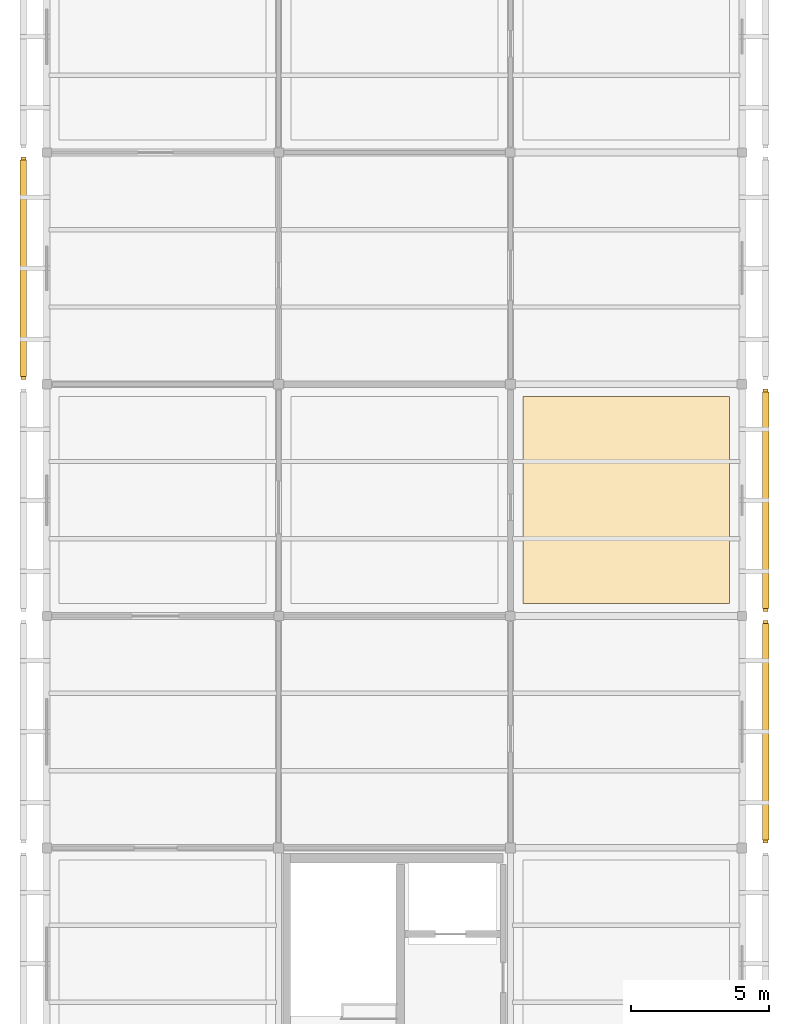
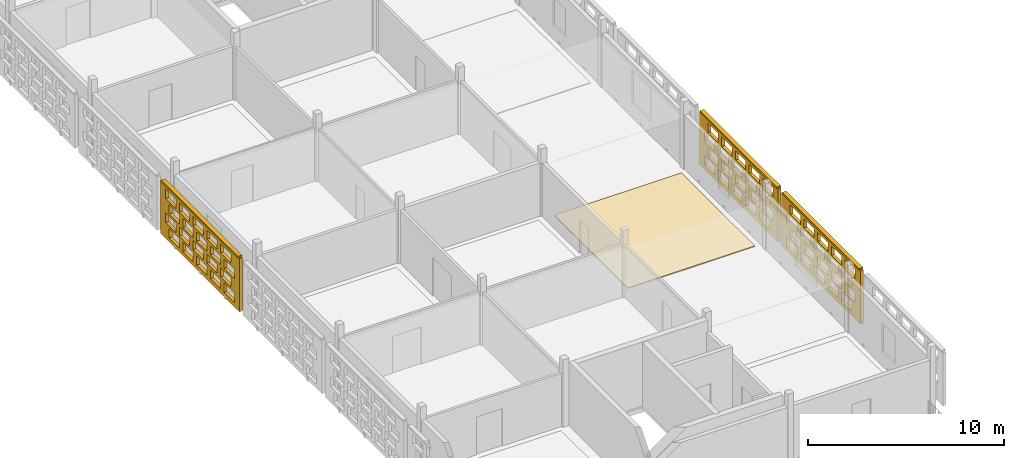
# One storey, part 8 of 13: 4 coverings, 3 shading devices, 60 openings.
"""IFC4 building model written with IfcOpenShell, lengths in metres."""

from ifc_helpers import new_model, si_unit, direction, frame, frame_2d, origin, origin_2d, place, context, subcontext, project, spatial, rectangle, extrude, material, layer, layer_set, type_object, element, save


model = new_model("IFC4")

# Units and contexts
model_context = context("Model", 3, precision=1e-05, world=origin(), true_north=direction((0.0, 1.0)))
body_context = subcontext(model_context, "Body", "Model", "MODEL_VIEW")
ifc_project = project(units=[si_unit("LENGTHUNIT", "METRE"), si_unit("AREAUNIT", "SQUARE_METRE"), si_unit("VOLUMEUNIT", "CUBIC_METRE"), si_unit("PLANEANGLEUNIT", "RADIAN"), si_unit("MASSUNIT", "GRAM", prefix="KILO")], contexts=[model_context])

# Site, building, storey
site_placement = place(None, origin())
site = spatial("IfcSite", under=ifc_project, at=site_placement, CompositionType="ELEMENT")
building_placement = place(site_placement, origin())
building = spatial("IfcBuilding", under=site, at=building_placement, Name="Varnapada Polytechnic", CompositionType="ELEMENT")
storey_placement = place(building_placement, frame((0.0, 0.0, 26.39990234375)))
storey = spatial("IfcBuildingStorey", under=building, at=storey_placement, Name="L06", CompositionType="ELEMENT", Elevation=26.39990234375)

# Covering
ifc_material_1 = material(Name="End-Grain Timber Studio Block Flooring", Category="wood")
ifc_layer_1 = layer(ifc_material_1, 0.054931640625)
ifc_layer_set_1 = layer_set([ifc_layer_1], Name="End-Grain Timber Studio Block Flooring")
covering_type_1 = type_object("IfcCoveringType", Name="Floor Finish FLR-04", PredefinedType="FLOORING", material=ifc_layer_set_1)
covering_1_placement = place(storey_placement, frame((21.0, 79.800048828125, 0.0), z_axis=(0.0, 0.0, 1.0), x_axis=(1.0, 0.0, 0.0)))
element("IfcCovering", 1, at=covering_1_placement, inside=storey, type_object=covering_type_1, Name="L06 floor finish panel (3,10)", PredefinedType="FLOORING", context=body_context, shape_type="SweptSolid", body=[
    extrude(rectangle(XDim=7.5, YDim=7.5, at=origin_2d()), origin(), (0.0, 0.0, 1.0), 0.054931640625),
])

# Covering, openings
ifc_material_2 = material(Name="Earth-toned architectural terracotta screen block", Category="masonry")
ifc_layer_2 = layer(ifc_material_2, 0.1201171875)
ifc_layer_set_2 = layer_set([ifc_layer_2], Name="Earth-toned architectural terracotta screen block")
covering_type_2 = type_object("IfcCoveringType", Name="Terracotta Screen Cladding CLD-01", PredefinedType="CLADDING", material=ifc_layer_set_2)
covering_2_placement = place(storey_placement, frame((-0.85009765625, 84.179931640625, 0.0), z_axis=(0.0, 0.0, 1.0), x_axis=(0.0, 1.0, 0.0)))
covering_2 = element("IfcCovering", 2, at=covering_2_placement, inside=storey, type_object=covering_type_2, Name="L06 perforated terracotta block screen (5)", PredefinedType="CLADDING", context=body_context, shape_type="SweptSolid", body=[
    extrude(rectangle(XDim=8.050048828125, YDim=0.179931640625, at=frame_2d((4.02490234375, 0.0))), origin(), (0.0, 0.0, 1.0), 3.320068359375),
])
opening_1_placement = place(covering_2_placement, frame((0.52490234375, 0.0, 0.265625)))
element("IfcOpeningElement", 3, at=opening_1_placement, cuts=covering_2, Name="Screen perforation TBS-L06-004.1", PredefinedType="OPENING", context=body_context, shape_type="SweptSolid", body=[
    extrude(rectangle(XDim=1.0400390625, YDim=0.5810546875, at=frame_2d((0.52001953125, 0.29052734375))), frame((0.0, 0.099853515625, 0.0), z_axis=(0.0, -1.0, 0.0), x_axis=(1.0, 0.0, 0.0)), (0.0, 0.0, 1.0), 0.199951171875),
])
opening_2_placement = place(covering_2_placement, frame((1.925048828125, 0.0, 0.265625)))
element("IfcOpeningElement", 4, at=opening_2_placement, cuts=covering_2, Name="Screen perforation TBS-L06-004.2", PredefinedType="OPENING", context=body_context, shape_type="SweptSolid", body=[
    extrude(rectangle(XDim=1.0400390625, YDim=0.5810546875, at=frame_2d((0.52001953125, 0.29052734375))), frame((0.0, 0.099853515625, 0.0), z_axis=(0.0, -1.0, 0.0), x_axis=(1.0, 0.0, 0.0)), (0.0, 0.0, 1.0), 0.199951171875),
])
opening_3_placement = place(covering_2_placement, frame((3.324951171875, 0.0, 0.265625)))
element("IfcOpeningElement", 5, at=opening_3_placement, cuts=covering_2, Name="Screen perforation TBS-L06-004.3", PredefinedType="OPENING", context=body_context, shape_type="SweptSolid", body=[
    extrude(rectangle(XDim=1.0400390625, YDim=0.5810546875, at=frame_2d((0.52001953125, 0.29052734375))), frame((0.0, 0.099853515625, 0.0), z_axis=(0.0, -1.0, 0.0), x_axis=(1.0, 0.0, 0.0)), (0.0, 0.0, 1.0), 0.199951171875),
])
opening_4_placement = place(covering_2_placement, frame((4.72509765625, 0.0, 0.265625)))
element("IfcOpeningElement", 6, at=opening_4_placement, cuts=covering_2, Name="Screen perforation TBS-L06-004.4", PredefinedType="OPENING", context=body_context, shape_type="SweptSolid", body=[
    extrude(rectangle(XDim=1.0400390625, YDim=0.5810546875, at=frame_2d((0.52001953125, 0.29052734375))), frame((0.0, 0.099853515625, 0.0), z_axis=(0.0, -1.0, 0.0), x_axis=(1.0, 0.0, 0.0)), (0.0, 0.0, 1.0), 0.199951171875),
])
opening_5_placement = place(covering_2_placement, frame((6.125, 0.0, 0.265625)))
element("IfcOpeningElement", 7, at=opening_5_placement, cuts=covering_2, Name="Screen perforation TBS-L06-004.5", PredefinedType="OPENING", context=body_context, shape_type="SweptSolid", body=[
    extrude(rectangle(XDim=1.0400390625, YDim=0.5810546875, at=frame_2d((0.52001953125, 0.29052734375))), frame((0.0, 0.099853515625, 0.0), z_axis=(0.0, -1.0, 0.0), x_axis=(1.0, 0.0, 0.0)), (0.0, 0.0, 1.0), 0.199951171875),
])
opening_6_placement = place(covering_2_placement, frame((0.885009765625, 0.0, 1.0126953125)))
element("IfcOpeningElement", 8, at=opening_6_placement, cuts=covering_2, Name="Screen perforation TBS-L06-004.6", PredefinedType="OPENING", context=body_context, shape_type="SweptSolid", body=[
    extrude(rectangle(XDim=1.0400390625, YDim=0.5810546875, at=frame_2d((0.52001953125, 0.29052734375))), frame((0.0, 0.099853515625, 0.0), z_axis=(0.0, -1.0, 0.0), x_axis=(1.0, 0.0, 0.0)), (0.0, 0.0, 1.0), 0.199951171875),
])
opening_7_placement = place(covering_2_placement, frame((2.284912109375, 0.0, 1.0126953125)))
element("IfcOpeningElement", 9, at=opening_7_placement, cuts=covering_2, Name="Screen perforation TBS-L06-004.7", PredefinedType="OPENING", context=body_context, shape_type="SweptSolid", body=[
    extrude(rectangle(XDim=1.0400390625, YDim=0.5810546875, at=frame_2d((0.52001953125, 0.29052734375))), frame((0.0, 0.099853515625, 0.0), z_axis=(0.0, -1.0, 0.0), x_axis=(1.0, 0.0, 0.0)), (0.0, 0.0, 1.0), 0.199951171875),
])
opening_8_placement = place(covering_2_placement, frame((3.68505859375, 0.0, 1.0126953125)))
element("IfcOpeningElement", 10, at=opening_8_placement, cuts=covering_2, Name="Screen perforation TBS-L06-004.8", PredefinedType="OPENING", context=body_context, shape_type="SweptSolid", body=[
    extrude(rectangle(XDim=1.0400390625, YDim=0.5810546875, at=frame_2d((0.52001953125, 0.29052734375))), frame((0.0, 0.099853515625, 0.0), z_axis=(0.0, -1.0, 0.0), x_axis=(1.0, 0.0, 0.0)), (0.0, 0.0, 1.0), 0.199951171875),
])
opening_9_placement = place(covering_2_placement, frame((5.0849609375, 0.0, 1.0126953125)))
element("IfcOpeningElement", 11, at=opening_9_placement, cuts=covering_2, Name="Screen perforation TBS-L06-004.9", PredefinedType="OPENING", context=body_context, shape_type="SweptSolid", body=[
    extrude(rectangle(XDim=1.0400390625, YDim=0.5810546875, at=frame_2d((0.52001953125, 0.29052734375))), frame((0.0, 0.099853515625, 0.0), z_axis=(0.0, -1.0, 0.0), x_axis=(1.0, 0.0, 0.0)), (0.0, 0.0, 1.0), 0.199951171875),
])
opening_10_placement = place(covering_2_placement, frame((6.485107421875, 0.0, 1.0126953125)))
element("IfcOpeningElement", 12, at=opening_10_placement, cuts=covering_2, Name="Screen perforation TBS-L06-004.10", PredefinedType="OPENING", context=body_context, shape_type="SweptSolid", body=[
    extrude(rectangle(XDim=1.0400390625, YDim=0.5810546875, at=frame_2d((0.52001953125, 0.29052734375))), frame((0.0, 0.099853515625, 0.0), z_axis=(0.0, -1.0, 0.0), x_axis=(1.0, 0.0, 0.0)), (0.0, 0.0, 1.0), 0.199951171875),
])
opening_11_placement = place(covering_2_placement, frame((0.52490234375, 0.0, 1.759521484375)))
element("IfcOpeningElement", 13, at=opening_11_placement, cuts=covering_2, Name="Screen perforation TBS-L06-004.11", PredefinedType="OPENING", context=body_context, shape_type="SweptSolid", body=[
    extrude(rectangle(XDim=1.0400390625, YDim=0.5810546875, at=frame_2d((0.52001953125, 0.29052734375))), frame((0.0, 0.099853515625, 0.0), z_axis=(0.0, -1.0, 0.0), x_axis=(1.0, 0.0, 0.0)), (0.0, 0.0, 1.0), 0.199951171875),
])
opening_12_placement = place(covering_2_placement, frame((1.925048828125, 0.0, 1.759521484375)))
element("IfcOpeningElement", 14, at=opening_12_placement, cuts=covering_2, Name="Screen perforation TBS-L06-004.12", PredefinedType="OPENING", context=body_context, shape_type="SweptSolid", body=[
    extrude(rectangle(XDim=1.0400390625, YDim=0.5810546875, at=frame_2d((0.52001953125, 0.29052734375))), frame((0.0, 0.099853515625, 0.0), z_axis=(0.0, -1.0, 0.0), x_axis=(1.0, 0.0, 0.0)), (0.0, 0.0, 1.0), 0.199951171875),
])
opening_13_placement = place(covering_2_placement, frame((3.324951171875, 0.0, 1.759521484375)))
element("IfcOpeningElement", 15, at=opening_13_placement, cuts=covering_2, Name="Screen perforation TBS-L06-004.13", PredefinedType="OPENING", context=body_context, shape_type="SweptSolid", body=[
    extrude(rectangle(XDim=1.0400390625, YDim=0.5810546875, at=frame_2d((0.52001953125, 0.29052734375))), frame((0.0, 0.099853515625, 0.0), z_axis=(0.0, -1.0, 0.0), x_axis=(1.0, 0.0, 0.0)), (0.0, 0.0, 1.0), 0.199951171875),
])
opening_14_placement = place(covering_2_placement, frame((4.72509765625, 0.0, 1.759521484375)))
element("IfcOpeningElement", 16, at=opening_14_placement, cuts=covering_2, Name="Screen perforation TBS-L06-004.14", PredefinedType="OPENING", context=body_context, shape_type="SweptSolid", body=[
    extrude(rectangle(XDim=1.0400390625, YDim=0.5810546875, at=frame_2d((0.52001953125, 0.29052734375))), frame((0.0, 0.099853515625, 0.0), z_axis=(0.0, -1.0, 0.0), x_axis=(1.0, 0.0, 0.0)), (0.0, 0.0, 1.0), 0.199951171875),
])
opening_15_placement = place(covering_2_placement, frame((6.125, 0.0, 1.759521484375)))
element("IfcOpeningElement", 17, at=opening_15_placement, cuts=covering_2, Name="Screen perforation TBS-L06-004.15", PredefinedType="OPENING", context=body_context, shape_type="SweptSolid", body=[
    extrude(rectangle(XDim=1.0400390625, YDim=0.5810546875, at=frame_2d((0.52001953125, 0.29052734375))), frame((0.0, 0.099853515625, 0.0), z_axis=(0.0, -1.0, 0.0), x_axis=(1.0, 0.0, 0.0)), (0.0, 0.0, 1.0), 0.199951171875),
])
opening_16_placement = place(covering_2_placement, frame((0.885009765625, 0.0, 2.506591796875)))
element("IfcOpeningElement", 18, at=opening_16_placement, cuts=covering_2, Name="Screen perforation TBS-L06-004.16", PredefinedType="OPENING", context=body_context, shape_type="SweptSolid", body=[
    extrude(rectangle(XDim=1.0400390625, YDim=0.5810546875, at=frame_2d((0.52001953125, 0.29052734375))), frame((0.0, 0.099853515625, 0.0), z_axis=(0.0, -1.0, 0.0), x_axis=(1.0, 0.0, 0.0)), (0.0, 0.0, 1.0), 0.199951171875),
])
opening_17_placement = place(covering_2_placement, frame((2.284912109375, 0.0, 2.506591796875)))
element("IfcOpeningElement", 19, at=opening_17_placement, cuts=covering_2, Name="Screen perforation TBS-L06-004.17", PredefinedType="OPENING", context=body_context, shape_type="SweptSolid", body=[
    extrude(rectangle(XDim=1.0400390625, YDim=0.5810546875, at=frame_2d((0.52001953125, 0.29052734375))), frame((0.0, 0.099853515625, 0.0), z_axis=(0.0, -1.0, 0.0), x_axis=(1.0, 0.0, 0.0)), (0.0, 0.0, 1.0), 0.199951171875),
])
opening_18_placement = place(covering_2_placement, frame((3.68505859375, 0.0, 2.506591796875)))
element("IfcOpeningElement", 20, at=opening_18_placement, cuts=covering_2, Name="Screen perforation TBS-L06-004.18", PredefinedType="OPENING", context=body_context, shape_type="SweptSolid", body=[
    extrude(rectangle(XDim=1.0400390625, YDim=0.5810546875, at=frame_2d((0.52001953125, 0.29052734375))), frame((0.0, 0.099853515625, 0.0), z_axis=(0.0, -1.0, 0.0), x_axis=(1.0, 0.0, 0.0)), (0.0, 0.0, 1.0), 0.199951171875),
])
opening_19_placement = place(covering_2_placement, frame((5.0849609375, 0.0, 2.506591796875)))
element("IfcOpeningElement", 21, at=opening_19_placement, cuts=covering_2, Name="Screen perforation TBS-L06-004.19", PredefinedType="OPENING", context=body_context, shape_type="SweptSolid", body=[
    extrude(rectangle(XDim=1.0400390625, YDim=0.5810546875, at=frame_2d((0.52001953125, 0.29052734375))), frame((0.0, 0.099853515625, 0.0), z_axis=(0.0, -1.0, 0.0), x_axis=(1.0, 0.0, 0.0)), (0.0, 0.0, 1.0), 0.199951171875),
])
opening_20_placement = place(covering_2_placement, frame((6.485107421875, 0.0, 2.506591796875)))
element("IfcOpeningElement", 22, at=opening_20_placement, cuts=covering_2, Name="Screen perforation TBS-L06-004.20", PredefinedType="OPENING", context=body_context, shape_type="SweptSolid", body=[
    extrude(rectangle(XDim=1.0400390625, YDim=0.5810546875, at=frame_2d((0.52001953125, 0.29052734375))), frame((0.0, 0.099853515625, 0.0), z_axis=(0.0, -1.0, 0.0), x_axis=(1.0, 0.0, 0.0)), (0.0, 0.0, 1.0), 0.199951171875),
])

covering_3_placement = place(storey_placement, frame((26.050048828125, 75.429931640625, 0.0), z_axis=(0.0, 0.0, 1.0), x_axis=(0.0, -1.0, 0.0)))
covering_3 = element("IfcCovering", 23, at=covering_3_placement, inside=storey, type_object=covering_type_2, Name="L06 perforated terracotta block screen (14)", PredefinedType="CLADDING", context=body_context, shape_type="SweptSolid", body=[
    extrude(rectangle(XDim=8.050048828125, YDim=0.179931640625, at=frame_2d((4.02490234375, 0.0))), origin(), (0.0, 0.0, 1.0), 3.320068359375),
])
opening_21_placement = place(covering_3_placement, frame((0.52490234375, 0.0, 0.265625)))
element("IfcOpeningElement", 24, at=opening_21_placement, cuts=covering_3, Name="Screen perforation TBS-L06-013.1", PredefinedType="OPENING", context=body_context, shape_type="SweptSolid", body=[
    extrude(rectangle(XDim=1.0400390625, YDim=0.5810546875, at=frame_2d((0.52001953125, 0.29052734375))), frame((0.0, 0.099853515625, 0.0), z_axis=(0.0, -1.0, 0.0), x_axis=(1.0, 0.0, 0.0)), (0.0, 0.0, 1.0), 0.199951171875),
])
opening_22_placement = place(covering_3_placement, frame((1.925048828125, 0.0, 0.265625)))
element("IfcOpeningElement", 25, at=opening_22_placement, cuts=covering_3, Name="Screen perforation TBS-L06-013.2", PredefinedType="OPENING", context=body_context, shape_type="SweptSolid", body=[
    extrude(rectangle(XDim=1.0400390625, YDim=0.5810546875, at=frame_2d((0.52001953125, 0.29052734375))), frame((0.0, 0.099853515625, 0.0), z_axis=(0.0, -1.0, 0.0), x_axis=(1.0, 0.0, 0.0)), (0.0, 0.0, 1.0), 0.199951171875),
])
opening_23_placement = place(covering_3_placement, frame((3.324951171875, 0.0, 0.265625)))
element("IfcOpeningElement", 26, at=opening_23_placement, cuts=covering_3, Name="Screen perforation TBS-L06-013.3", PredefinedType="OPENING", context=body_context, shape_type="SweptSolid", body=[
    extrude(rectangle(XDim=1.0400390625, YDim=0.5810546875, at=frame_2d((0.52001953125, 0.29052734375))), frame((0.0, 0.099853515625, 0.0), z_axis=(0.0, -1.0, 0.0), x_axis=(1.0, 0.0, 0.0)), (0.0, 0.0, 1.0), 0.199951171875),
])
opening_24_placement = place(covering_3_placement, frame((4.72509765625, 0.0, 0.265625)))
element("IfcOpeningElement", 27, at=opening_24_placement, cuts=covering_3, Name="Screen perforation TBS-L06-013.4", PredefinedType="OPENING", context=body_context, shape_type="SweptSolid", body=[
    extrude(rectangle(XDim=1.0400390625, YDim=0.5810546875, at=frame_2d((0.52001953125, 0.29052734375))), frame((0.0, 0.099853515625, 0.0), z_axis=(0.0, -1.0, 0.0), x_axis=(1.0, 0.0, 0.0)), (0.0, 0.0, 1.0), 0.199951171875),
])
opening_25_placement = place(covering_3_placement, frame((6.125, 0.0, 0.265625)))
element("IfcOpeningElement", 28, at=opening_25_placement, cuts=covering_3, Name="Screen perforation TBS-L06-013.5", PredefinedType="OPENING", context=body_context, shape_type="SweptSolid", body=[
    extrude(rectangle(XDim=1.0400390625, YDim=0.5810546875, at=frame_2d((0.52001953125, 0.29052734375))), frame((0.0, 0.099853515625, 0.0), z_axis=(0.0, -1.0, 0.0), x_axis=(1.0, 0.0, 0.0)), (0.0, 0.0, 1.0), 0.199951171875),
])
opening_26_placement = place(covering_3_placement, frame((0.885009765625, 0.0, 1.0126953125)))
element("IfcOpeningElement", 29, at=opening_26_placement, cuts=covering_3, Name="Screen perforation TBS-L06-013.6", PredefinedType="OPENING", context=body_context, shape_type="SweptSolid", body=[
    extrude(rectangle(XDim=1.0400390625, YDim=0.5810546875, at=frame_2d((0.52001953125, 0.29052734375))), frame((0.0, 0.099853515625, 0.0), z_axis=(0.0, -1.0, 0.0), x_axis=(1.0, 0.0, 0.0)), (0.0, 0.0, 1.0), 0.199951171875),
])
opening_27_placement = place(covering_3_placement, frame((2.284912109375, 0.0, 1.0126953125)))
element("IfcOpeningElement", 30, at=opening_27_placement, cuts=covering_3, Name="Screen perforation TBS-L06-013.7", PredefinedType="OPENING", context=body_context, shape_type="SweptSolid", body=[
    extrude(rectangle(XDim=1.0400390625, YDim=0.5810546875, at=frame_2d((0.52001953125, 0.29052734375))), frame((0.0, 0.099853515625, 0.0), z_axis=(0.0, -1.0, 0.0), x_axis=(1.0, 0.0, 0.0)), (0.0, 0.0, 1.0), 0.199951171875),
])
opening_28_placement = place(covering_3_placement, frame((3.68505859375, 0.0, 1.0126953125)))
element("IfcOpeningElement", 31, at=opening_28_placement, cuts=covering_3, Name="Screen perforation TBS-L06-013.8", PredefinedType="OPENING", context=body_context, shape_type="SweptSolid", body=[
    extrude(rectangle(XDim=1.0400390625, YDim=0.5810546875, at=frame_2d((0.52001953125, 0.29052734375))), frame((0.0, 0.099853515625, 0.0), z_axis=(0.0, -1.0, 0.0), x_axis=(1.0, 0.0, 0.0)), (0.0, 0.0, 1.0), 0.199951171875),
])
opening_29_placement = place(covering_3_placement, frame((5.0849609375, 0.0, 1.0126953125)))
element("IfcOpeningElement", 32, at=opening_29_placement, cuts=covering_3, Name="Screen perforation TBS-L06-013.9", PredefinedType="OPENING", context=body_context, shape_type="SweptSolid", body=[
    extrude(rectangle(XDim=1.0400390625, YDim=0.5810546875, at=frame_2d((0.52001953125, 0.29052734375))), frame((0.0, 0.099853515625, 0.0), z_axis=(0.0, -1.0, 0.0), x_axis=(1.0, 0.0, 0.0)), (0.0, 0.0, 1.0), 0.199951171875),
])
opening_30_placement = place(covering_3_placement, frame((6.485107421875, 0.0, 1.0126953125)))
element("IfcOpeningElement", 33, at=opening_30_placement, cuts=covering_3, Name="Screen perforation TBS-L06-013.10", PredefinedType="OPENING", context=body_context, shape_type="SweptSolid", body=[
    extrude(rectangle(XDim=1.0400390625, YDim=0.5810546875, at=frame_2d((0.52001953125, 0.29052734375))), frame((0.0, 0.099853515625, 0.0), z_axis=(0.0, -1.0, 0.0), x_axis=(1.0, 0.0, 0.0)), (0.0, 0.0, 1.0), 0.199951171875),
])
opening_31_placement = place(covering_3_placement, frame((0.52490234375, 0.0, 1.759521484375)))
element("IfcOpeningElement", 34, at=opening_31_placement, cuts=covering_3, Name="Screen perforation TBS-L06-013.11", PredefinedType="OPENING", context=body_context, shape_type="SweptSolid", body=[
    extrude(rectangle(XDim=1.0400390625, YDim=0.5810546875, at=frame_2d((0.52001953125, 0.29052734375))), frame((0.0, 0.099853515625, 0.0), z_axis=(0.0, -1.0, 0.0), x_axis=(1.0, 0.0, 0.0)), (0.0, 0.0, 1.0), 0.199951171875),
])
opening_32_placement = place(covering_3_placement, frame((1.925048828125, 0.0, 1.759521484375)))
element("IfcOpeningElement", 35, at=opening_32_placement, cuts=covering_3, Name="Screen perforation TBS-L06-013.12", PredefinedType="OPENING", context=body_context, shape_type="SweptSolid", body=[
    extrude(rectangle(XDim=1.0400390625, YDim=0.5810546875, at=frame_2d((0.52001953125, 0.29052734375))), frame((0.0, 0.099853515625, 0.0), z_axis=(0.0, -1.0, 0.0), x_axis=(1.0, 0.0, 0.0)), (0.0, 0.0, 1.0), 0.199951171875),
])
opening_33_placement = place(covering_3_placement, frame((3.324951171875, 0.0, 1.759521484375)))
element("IfcOpeningElement", 36, at=opening_33_placement, cuts=covering_3, Name="Screen perforation TBS-L06-013.13", PredefinedType="OPENING", context=body_context, shape_type="SweptSolid", body=[
    extrude(rectangle(XDim=1.0400390625, YDim=0.5810546875, at=frame_2d((0.52001953125, 0.29052734375))), frame((0.0, 0.099853515625, 0.0), z_axis=(0.0, -1.0, 0.0), x_axis=(1.0, 0.0, 0.0)), (0.0, 0.0, 1.0), 0.199951171875),
])
opening_34_placement = place(covering_3_placement, frame((4.72509765625, 0.0, 1.759521484375)))
element("IfcOpeningElement", 37, at=opening_34_placement, cuts=covering_3, Name="Screen perforation TBS-L06-013.14", PredefinedType="OPENING", context=body_context, shape_type="SweptSolid", body=[
    extrude(rectangle(XDim=1.0400390625, YDim=0.5810546875, at=frame_2d((0.52001953125, 0.29052734375))), frame((0.0, 0.099853515625, 0.0), z_axis=(0.0, -1.0, 0.0), x_axis=(1.0, 0.0, 0.0)), (0.0, 0.0, 1.0), 0.199951171875),
])
opening_35_placement = place(covering_3_placement, frame((6.125, 0.0, 1.759521484375)))
element("IfcOpeningElement", 38, at=opening_35_placement, cuts=covering_3, Name="Screen perforation TBS-L06-013.15", PredefinedType="OPENING", context=body_context, shape_type="SweptSolid", body=[
    extrude(rectangle(XDim=1.0400390625, YDim=0.5810546875, at=frame_2d((0.52001953125, 0.29052734375))), frame((0.0, 0.099853515625, 0.0), z_axis=(0.0, -1.0, 0.0), x_axis=(1.0, 0.0, 0.0)), (0.0, 0.0, 1.0), 0.199951171875),
])
opening_36_placement = place(covering_3_placement, frame((0.885009765625, 0.0, 2.506591796875)))
element("IfcOpeningElement", 39, at=opening_36_placement, cuts=covering_3, Name="Screen perforation TBS-L06-013.16", PredefinedType="OPENING", context=body_context, shape_type="SweptSolid", body=[
    extrude(rectangle(XDim=1.0400390625, YDim=0.5810546875, at=frame_2d((0.52001953125, 0.29052734375))), frame((0.0, 0.099853515625, 0.0), z_axis=(0.0, -1.0, 0.0), x_axis=(1.0, 0.0, 0.0)), (0.0, 0.0, 1.0), 0.199951171875),
])
opening_37_placement = place(covering_3_placement, frame((2.284912109375, 0.0, 2.506591796875)))
element("IfcOpeningElement", 40, at=opening_37_placement, cuts=covering_3, Name="Screen perforation TBS-L06-013.17", PredefinedType="OPENING", context=body_context, shape_type="SweptSolid", body=[
    extrude(rectangle(XDim=1.0400390625, YDim=0.5810546875, at=frame_2d((0.52001953125, 0.29052734375))), frame((0.0, 0.099853515625, 0.0), z_axis=(0.0, -1.0, 0.0), x_axis=(1.0, 0.0, 0.0)), (0.0, 0.0, 1.0), 0.199951171875),
])
opening_38_placement = place(covering_3_placement, frame((3.68505859375, 0.0, 2.506591796875)))
element("IfcOpeningElement", 41, at=opening_38_placement, cuts=covering_3, Name="Screen perforation TBS-L06-013.18", PredefinedType="OPENING", context=body_context, shape_type="SweptSolid", body=[
    extrude(rectangle(XDim=1.0400390625, YDim=0.5810546875, at=frame_2d((0.52001953125, 0.29052734375))), frame((0.0, 0.099853515625, 0.0), z_axis=(0.0, -1.0, 0.0), x_axis=(1.0, 0.0, 0.0)), (0.0, 0.0, 1.0), 0.199951171875),
])
opening_39_placement = place(covering_3_placement, frame((5.0849609375, 0.0, 2.506591796875)))
element("IfcOpeningElement", 42, at=opening_39_placement, cuts=covering_3, Name="Screen perforation TBS-L06-013.19", PredefinedType="OPENING", context=body_context, shape_type="SweptSolid", body=[
    extrude(rectangle(XDim=1.0400390625, YDim=0.5810546875, at=frame_2d((0.52001953125, 0.29052734375))), frame((0.0, 0.099853515625, 0.0), z_axis=(0.0, -1.0, 0.0), x_axis=(1.0, 0.0, 0.0)), (0.0, 0.0, 1.0), 0.199951171875),
])
opening_40_placement = place(covering_3_placement, frame((6.485107421875, 0.0, 2.506591796875)))
element("IfcOpeningElement", 43, at=opening_40_placement, cuts=covering_3, Name="Screen perforation TBS-L06-013.20", PredefinedType="OPENING", context=body_context, shape_type="SweptSolid", body=[
    extrude(rectangle(XDim=1.0400390625, YDim=0.5810546875, at=frame_2d((0.52001953125, 0.29052734375))), frame((0.0, 0.099853515625, 0.0), z_axis=(0.0, -1.0, 0.0), x_axis=(1.0, 0.0, 0.0)), (0.0, 0.0, 1.0), 0.199951171875),
])

covering_4_placement = place(storey_placement, frame((26.050048828125, 83.820068359375, 0.0), z_axis=(0.0, 0.0, 1.0), x_axis=(0.0, -1.0, 0.0)))
covering_4 = element("IfcCovering", 44, at=covering_4_placement, inside=storey, type_object=covering_type_2, Name="L06 perforated terracotta block screen (15)", PredefinedType="CLADDING", context=body_context, shape_type="SweptSolid", body=[
    extrude(rectangle(XDim=8.050048828125, YDim=0.179931640625, at=frame_2d((4.02490234375, 0.0))), origin(), (0.0, 0.0, 1.0), 3.320068359375),
])
opening_41_placement = place(covering_4_placement, frame((0.52490234375, 0.0, 0.265625)))
element("IfcOpeningElement", 45, at=opening_41_placement, cuts=covering_4, Name="Screen perforation TBS-L06-014.1", PredefinedType="OPENING", context=body_context, shape_type="SweptSolid", body=[
    extrude(rectangle(XDim=1.0400390625, YDim=0.5810546875, at=frame_2d((0.52001953125, 0.29052734375))), frame((0.0, 0.099853515625, 0.0), z_axis=(0.0, -1.0, 0.0), x_axis=(1.0, 0.0, 0.0)), (0.0, 0.0, 1.0), 0.199951171875),
])
opening_42_placement = place(covering_4_placement, frame((1.925048828125, 0.0, 0.265625)))
element("IfcOpeningElement", 46, at=opening_42_placement, cuts=covering_4, Name="Screen perforation TBS-L06-014.2", PredefinedType="OPENING", context=body_context, shape_type="SweptSolid", body=[
    extrude(rectangle(XDim=1.0400390625, YDim=0.5810546875, at=frame_2d((0.52001953125, 0.29052734375))), frame((0.0, 0.099853515625, 0.0), z_axis=(0.0, -1.0, 0.0), x_axis=(1.0, 0.0, 0.0)), (0.0, 0.0, 1.0), 0.199951171875),
])
opening_43_placement = place(covering_4_placement, frame((3.324951171875, 0.0, 0.265625)))
element("IfcOpeningElement", 47, at=opening_43_placement, cuts=covering_4, Name="Screen perforation TBS-L06-014.3", PredefinedType="OPENING", context=body_context, shape_type="SweptSolid", body=[
    extrude(rectangle(XDim=1.0400390625, YDim=0.5810546875, at=frame_2d((0.52001953125, 0.29052734375))), frame((0.0, 0.099853515625, 0.0), z_axis=(0.0, -1.0, 0.0), x_axis=(1.0, 0.0, 0.0)), (0.0, 0.0, 1.0), 0.199951171875),
])
opening_44_placement = place(covering_4_placement, frame((4.72509765625, 0.0, 0.265625)))
element("IfcOpeningElement", 48, at=opening_44_placement, cuts=covering_4, Name="Screen perforation TBS-L06-014.4", PredefinedType="OPENING", context=body_context, shape_type="SweptSolid", body=[
    extrude(rectangle(XDim=1.0400390625, YDim=0.5810546875, at=frame_2d((0.52001953125, 0.29052734375))), frame((0.0, 0.099853515625, 0.0), z_axis=(0.0, -1.0, 0.0), x_axis=(1.0, 0.0, 0.0)), (0.0, 0.0, 1.0), 0.199951171875),
])
opening_45_placement = place(covering_4_placement, frame((6.125, 0.0, 0.265625)))
element("IfcOpeningElement", 49, at=opening_45_placement, cuts=covering_4, Name="Screen perforation TBS-L06-014.5", PredefinedType="OPENING", context=body_context, shape_type="SweptSolid", body=[
    extrude(rectangle(XDim=1.0400390625, YDim=0.5810546875, at=frame_2d((0.52001953125, 0.29052734375))), frame((0.0, 0.099853515625, 0.0), z_axis=(0.0, -1.0, 0.0), x_axis=(1.0, 0.0, 0.0)), (0.0, 0.0, 1.0), 0.199951171875),
])
opening_46_placement = place(covering_4_placement, frame((0.885009765625, 0.0, 1.0126953125)))
element("IfcOpeningElement", 50, at=opening_46_placement, cuts=covering_4, Name="Screen perforation TBS-L06-014.6", PredefinedType="OPENING", context=body_context, shape_type="SweptSolid", body=[
    extrude(rectangle(XDim=1.0400390625, YDim=0.5810546875, at=frame_2d((0.52001953125, 0.29052734375))), frame((0.0, 0.099853515625, 0.0), z_axis=(0.0, -1.0, 0.0), x_axis=(1.0, 0.0, 0.0)), (0.0, 0.0, 1.0), 0.199951171875),
])
opening_47_placement = place(covering_4_placement, frame((2.284912109375, 0.0, 1.0126953125)))
element("IfcOpeningElement", 51, at=opening_47_placement, cuts=covering_4, Name="Screen perforation TBS-L06-014.7", PredefinedType="OPENING", context=body_context, shape_type="SweptSolid", body=[
    extrude(rectangle(XDim=1.0400390625, YDim=0.5810546875, at=frame_2d((0.52001953125, 0.29052734375))), frame((0.0, 0.099853515625, 0.0), z_axis=(0.0, -1.0, 0.0), x_axis=(1.0, 0.0, 0.0)), (0.0, 0.0, 1.0), 0.199951171875),
])
opening_48_placement = place(covering_4_placement, frame((3.68505859375, 0.0, 1.0126953125)))
element("IfcOpeningElement", 52, at=opening_48_placement, cuts=covering_4, Name="Screen perforation TBS-L06-014.8", PredefinedType="OPENING", context=body_context, shape_type="SweptSolid", body=[
    extrude(rectangle(XDim=1.0400390625, YDim=0.5810546875, at=frame_2d((0.52001953125, 0.29052734375))), frame((0.0, 0.099853515625, 0.0), z_axis=(0.0, -1.0, 0.0), x_axis=(1.0, 0.0, 0.0)), (0.0, 0.0, 1.0), 0.199951171875),
])
opening_49_placement = place(covering_4_placement, frame((5.0849609375, 0.0, 1.0126953125)))
element("IfcOpeningElement", 53, at=opening_49_placement, cuts=covering_4, Name="Screen perforation TBS-L06-014.9", PredefinedType="OPENING", context=body_context, shape_type="SweptSolid", body=[
    extrude(rectangle(XDim=1.0400390625, YDim=0.5810546875, at=frame_2d((0.52001953125, 0.29052734375))), frame((0.0, 0.099853515625, 0.0), z_axis=(0.0, -1.0, 0.0), x_axis=(1.0, 0.0, 0.0)), (0.0, 0.0, 1.0), 0.199951171875),
])
opening_50_placement = place(covering_4_placement, frame((6.485107421875, 0.0, 1.0126953125)))
element("IfcOpeningElement", 54, at=opening_50_placement, cuts=covering_4, Name="Screen perforation TBS-L06-014.10", PredefinedType="OPENING", context=body_context, shape_type="SweptSolid", body=[
    extrude(rectangle(XDim=1.0400390625, YDim=0.5810546875, at=frame_2d((0.52001953125, 0.29052734375))), frame((0.0, 0.099853515625, 0.0), z_axis=(0.0, -1.0, 0.0), x_axis=(1.0, 0.0, 0.0)), (0.0, 0.0, 1.0), 0.199951171875),
])
opening_51_placement = place(covering_4_placement, frame((0.52490234375, 0.0, 1.759521484375)))
element("IfcOpeningElement", 55, at=opening_51_placement, cuts=covering_4, Name="Screen perforation TBS-L06-014.11", PredefinedType="OPENING", context=body_context, shape_type="SweptSolid", body=[
    extrude(rectangle(XDim=1.0400390625, YDim=0.5810546875, at=frame_2d((0.52001953125, 0.29052734375))), frame((0.0, 0.099853515625, 0.0), z_axis=(0.0, -1.0, 0.0), x_axis=(1.0, 0.0, 0.0)), (0.0, 0.0, 1.0), 0.199951171875),
])
opening_52_placement = place(covering_4_placement, frame((1.925048828125, 0.0, 1.759521484375)))
element("IfcOpeningElement", 56, at=opening_52_placement, cuts=covering_4, Name="Screen perforation TBS-L06-014.12", PredefinedType="OPENING", context=body_context, shape_type="SweptSolid", body=[
    extrude(rectangle(XDim=1.0400390625, YDim=0.5810546875, at=frame_2d((0.52001953125, 0.29052734375))), frame((0.0, 0.099853515625, 0.0), z_axis=(0.0, -1.0, 0.0), x_axis=(1.0, 0.0, 0.0)), (0.0, 0.0, 1.0), 0.199951171875),
])
opening_53_placement = place(covering_4_placement, frame((3.324951171875, 0.0, 1.759521484375)))
element("IfcOpeningElement", 57, at=opening_53_placement, cuts=covering_4, Name="Screen perforation TBS-L06-014.13", PredefinedType="OPENING", context=body_context, shape_type="SweptSolid", body=[
    extrude(rectangle(XDim=1.0400390625, YDim=0.5810546875, at=frame_2d((0.52001953125, 0.29052734375))), frame((0.0, 0.099853515625, 0.0), z_axis=(0.0, -1.0, 0.0), x_axis=(1.0, 0.0, 0.0)), (0.0, 0.0, 1.0), 0.199951171875),
])
opening_54_placement = place(covering_4_placement, frame((4.72509765625, 0.0, 1.759521484375)))
element("IfcOpeningElement", 58, at=opening_54_placement, cuts=covering_4, Name="Screen perforation TBS-L06-014.14", PredefinedType="OPENING", context=body_context, shape_type="SweptSolid", body=[
    extrude(rectangle(XDim=1.0400390625, YDim=0.5810546875, at=frame_2d((0.52001953125, 0.29052734375))), frame((0.0, 0.099853515625, 0.0), z_axis=(0.0, -1.0, 0.0), x_axis=(1.0, 0.0, 0.0)), (0.0, 0.0, 1.0), 0.199951171875),
])
opening_55_placement = place(covering_4_placement, frame((6.125, 0.0, 1.759521484375)))
element("IfcOpeningElement", 59, at=opening_55_placement, cuts=covering_4, Name="Screen perforation TBS-L06-014.15", PredefinedType="OPENING", context=body_context, shape_type="SweptSolid", body=[
    extrude(rectangle(XDim=1.0400390625, YDim=0.5810546875, at=frame_2d((0.52001953125, 0.29052734375))), frame((0.0, 0.099853515625, 0.0), z_axis=(0.0, -1.0, 0.0), x_axis=(1.0, 0.0, 0.0)), (0.0, 0.0, 1.0), 0.199951171875),
])
opening_56_placement = place(covering_4_placement, frame((0.885009765625, 0.0, 2.506591796875)))
element("IfcOpeningElement", 60, at=opening_56_placement, cuts=covering_4, Name="Screen perforation TBS-L06-014.16", PredefinedType="OPENING", context=body_context, shape_type="SweptSolid", body=[
    extrude(rectangle(XDim=1.0400390625, YDim=0.5810546875, at=frame_2d((0.52001953125, 0.29052734375))), frame((0.0, 0.099853515625, 0.0), z_axis=(0.0, -1.0, 0.0), x_axis=(1.0, 0.0, 0.0)), (0.0, 0.0, 1.0), 0.199951171875),
])
opening_57_placement = place(covering_4_placement, frame((2.284912109375, 0.0, 2.506591796875)))
element("IfcOpeningElement", 61, at=opening_57_placement, cuts=covering_4, Name="Screen perforation TBS-L06-014.17", PredefinedType="OPENING", context=body_context, shape_type="SweptSolid", body=[
    extrude(rectangle(XDim=1.0400390625, YDim=0.5810546875, at=frame_2d((0.52001953125, 0.29052734375))), frame((0.0, 0.099853515625, 0.0), z_axis=(0.0, -1.0, 0.0), x_axis=(1.0, 0.0, 0.0)), (0.0, 0.0, 1.0), 0.199951171875),
])
opening_58_placement = place(covering_4_placement, frame((3.68505859375, 0.0, 2.506591796875)))
element("IfcOpeningElement", 62, at=opening_58_placement, cuts=covering_4, Name="Screen perforation TBS-L06-014.18", PredefinedType="OPENING", context=body_context, shape_type="SweptSolid", body=[
    extrude(rectangle(XDim=1.0400390625, YDim=0.5810546875, at=frame_2d((0.52001953125, 0.29052734375))), frame((0.0, 0.099853515625, 0.0), z_axis=(0.0, -1.0, 0.0), x_axis=(1.0, 0.0, 0.0)), (0.0, 0.0, 1.0), 0.199951171875),
])
opening_59_placement = place(covering_4_placement, frame((5.0849609375, 0.0, 2.506591796875)))
element("IfcOpeningElement", 63, at=opening_59_placement, cuts=covering_4, Name="Screen perforation TBS-L06-014.19", PredefinedType="OPENING", context=body_context, shape_type="SweptSolid", body=[
    extrude(rectangle(XDim=1.0400390625, YDim=0.5810546875, at=frame_2d((0.52001953125, 0.29052734375))), frame((0.0, 0.099853515625, 0.0), z_axis=(0.0, -1.0, 0.0), x_axis=(1.0, 0.0, 0.0)), (0.0, 0.0, 1.0), 0.199951171875),
])
opening_60_placement = place(covering_4_placement, frame((6.485107421875, 0.0, 2.506591796875)))
element("IfcOpeningElement", 64, at=opening_60_placement, cuts=covering_4, Name="Screen perforation TBS-L06-014.20", PredefinedType="OPENING", context=body_context, shape_type="SweptSolid", body=[
    extrude(rectangle(XDim=1.0400390625, YDim=0.5810546875, at=frame_2d((0.52001953125, 0.29052734375))), frame((0.0, 0.099853515625, 0.0), z_axis=(0.0, -1.0, 0.0), x_axis=(1.0, 0.0, 0.0)), (0.0, 0.0, 1.0), 0.199951171875),
])

# Shading devices
ifc_layer_3 = layer(ifc_material_2, 0.179931640625)
ifc_layer_set_3 = layer_set([ifc_layer_3], Name="Earth-toned architectural terracotta screen block")
shading_device_type = type_object("IfcShadingDeviceType", Name="Terracotta Screen SCR-01", PredefinedType="USERDEFINED", material=ifc_layer_set_3)
for number, where, z_axis, x_axis, name in (
    (65, (-0.85009765625, 88.205078125, 3.31005859375), (0.0, 0.0, 1.0), (0.0, 1.0, 0.0), "L06 perforated terracotta screen hood 496"),
    (66, (26.050048828125, 71.405029296875, 3.31005859375), (0.0, 0.0, 1.0), (0.0, -1.0, 0.0), "L06 perforated terracotta screen hood 501"),
    (67, (26.050048828125, 79.794921875, 3.31005859375), (0.0, 0.0, 1.0), (0.0, -1.0, 0.0), "L06 perforated terracotta screen hood 502"),
):
    element("IfcShadingDevice", number, at=place(storey_placement, frame(where, z_axis=z_axis, x_axis=x_axis)), inside=storey, type_object=shading_device_type, Name=name, ObjectType="SCREEN", PredefinedType="USERDEFINED", context=body_context, shape_type="SweptSolid", body=[
        extrude(rectangle(XDim=7.85009765625, YDim=0.239990234375, at=origin_2d()), origin(), (0.0, 0.0, 1.0), 0.10009765625),
    ])

save(model, "model.ifc")
